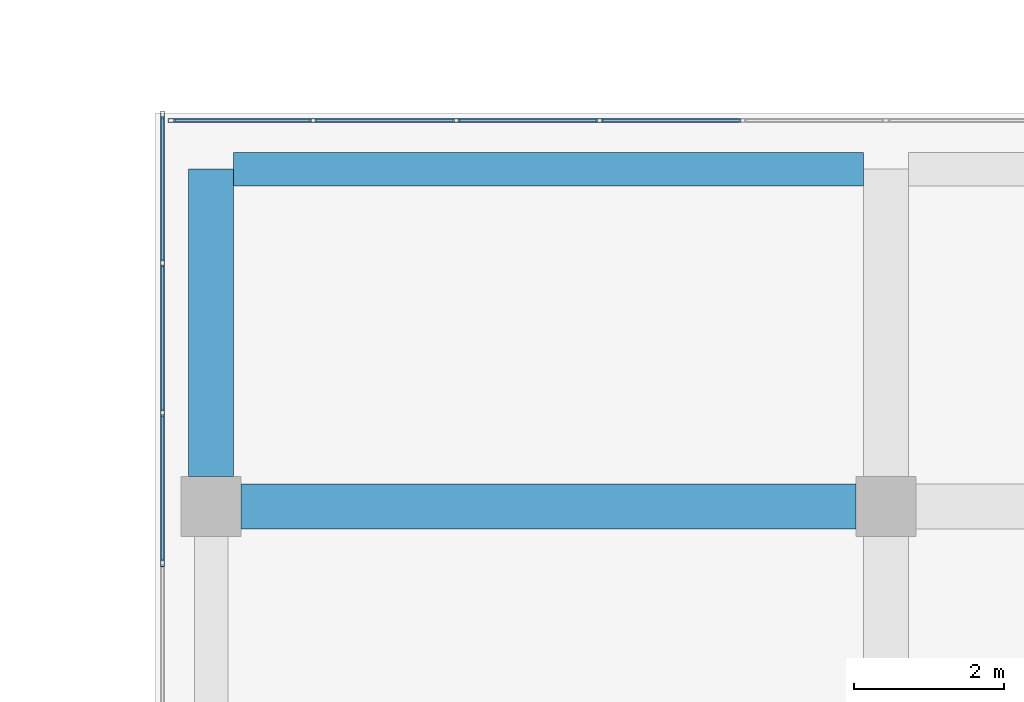
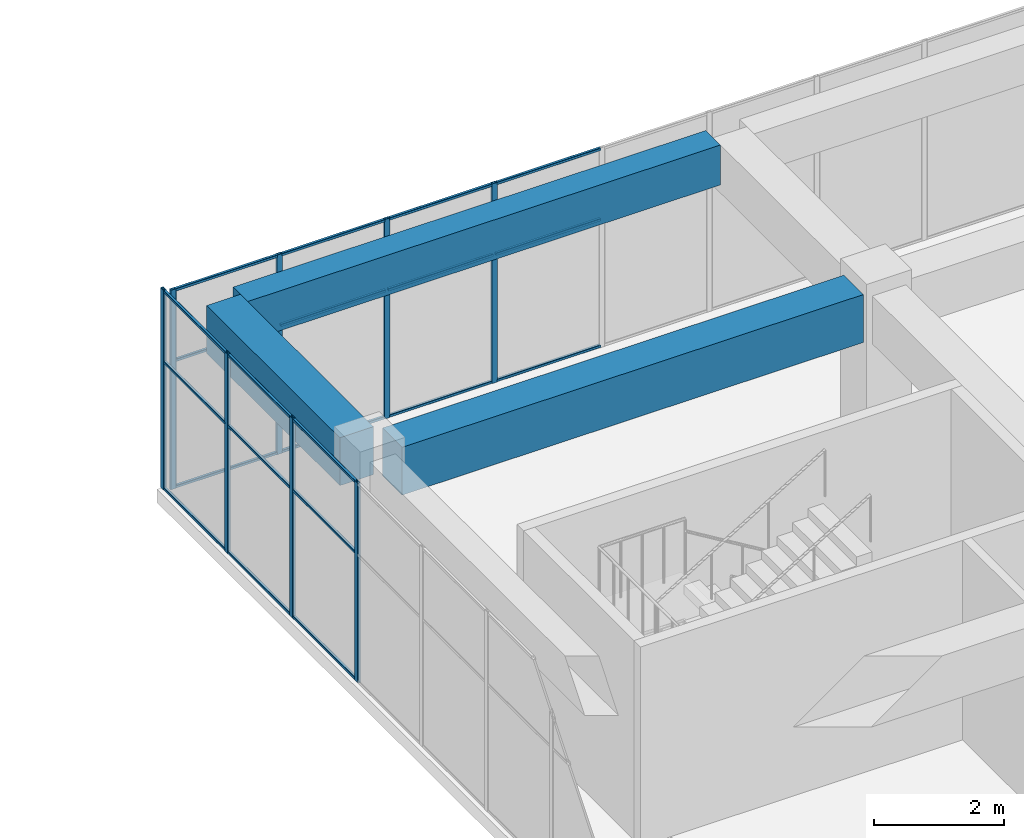
# One storey, part 31 of 65: 29 members, 3 beams, 2 elements without a shape of their own.
"""IFC4 building model written with IfcOpenShell, lengths in metres."""

import ifcopenshell
import ifcopenshell.guid

model = None  # the IFC model being written
_history = None  # IfcOwnerHistory: only IFC2X3 demands one
_inside = {}  # id of a spatial element -> (the spatial element, [elements in it])
_under = {}  # id of a project, library or spatial element -> (it, [spatial elements below it])
_declared = {}  # id of a project -> (the project, [libraries it declares])
_typed = {}  # id of a type object -> (the type object, [elements of that type])
_made_of = {}  # id of a material, layer set ... -> (it, [elements and type objects made of it])


def new_model(schema):
    """Start an empty IFC model of exactly this schema.

    Asked for "IFC4X3", IfcOpenShell would pick the latest addendum, in which some entities
    have other attributes; the version numbers below select the first issue.
    IFC2X3 requires an IfcOwnerHistory on every rooted entity: one is made here for all.
    """
    global model, _history
    if schema == "IFC4X3":
        model = ifcopenshell.file(schema_version=(4, 3, 0, 0))
    else:
        model = ifcopenshell.file(schema=schema)
    _inside.clear()
    _under.clear()
    _declared.clear()
    _typed.clear()
    _made_of.clear()
    _history = None
    if model.schema == "IFC2X3":
        org = make("IfcOrganization", Name="unknown")
        user = make(
            "IfcPersonAndOrganization",
            ThePerson=make("IfcPerson", FamilyName="unknown"),
            TheOrganization=org,
        )
        app = make(
            "IfcApplication",
            ApplicationDeveloper=org,
            Version="unknown",
            ApplicationFullName="unknown",
            ApplicationIdentifier="unknown",
        )
        _history = make(
            "IfcOwnerHistory",
            OwningUser=user,
            OwningApplication=app,
            ChangeAction="ADDED",
            CreationDate=0,
        )
    return model


def make(cls, **values):
    """One entity of the class cls with the attributes given. An attribute that is None is left unset."""
    return model.create_entity(
        cls, **{name: value for name, value in values.items() if value is not None}
    )


def rooted(cls, **values):
    """An entity with a GlobalId (a new one), such as an element, a storey or a relation."""
    return make(cls, GlobalId=ifcopenshell.guid.new(), OwnerHistory=_history, **values)


def si_unit(unit_type, name, prefix=None):
    """IfcSIUnit, for example si_unit("LENGTHUNIT", "METRE", prefix="MILLI")."""
    return make("IfcSIUnit", UnitType=unit_type, Prefix=prefix, Name=name)


def assignment(units):
    """IfcUnitAssignment: the units of a project."""
    return None if units is None else make("IfcUnitAssignment", Units=units)


def point(xyz):
    """IfcCartesianPoint."""
    return None if xyz is None else make("IfcCartesianPoint", Coordinates=xyz)


def direction(xyz):
    """IfcDirection."""
    return None if xyz is None else make("IfcDirection", DirectionRatios=xyz)


def frame(location, z_axis=None, x_axis=None):
    """IfcAxis2Placement3D, a coordinate frame: its origin and axes. An axis left out is left unset."""
    return make(
        "IfcAxis2Placement3D",
        Location=point(location),
        Axis=direction(z_axis),
        RefDirection=direction(x_axis),
    )


def frame_2d(location, x_axis=None):
    """IfcAxis2Placement2D, a coordinate frame in the plane: its origin and x axis."""
    return make(
        "IfcAxis2Placement2D", Location=point(location), RefDirection=direction(x_axis)
    )


def origin():
    """The frame at (0, 0, 0) with its axes left unset."""
    return frame((0.0, 0.0, 0.0))


def origin_2d():
    """The frame at (0, 0) in the plane with its x axis left unset."""
    return frame_2d((0.0, 0.0))


def place(relative_to, where):
    """IfcLocalPlacement: puts the frame where relative to a parent placement (None: the world)."""
    return make(
        "IfcLocalPlacement", PlacementRelTo=relative_to, RelativePlacement=where
    )


def context(
    kind, dimensions, precision=None, world=None, true_north=None, identifier=None
):
    """IfcGeometricRepresentationContext, for example the 3D "Model" context."""
    return make(
        "IfcGeometricRepresentationContext",
        ContextIdentifier=identifier,
        ContextType=kind,
        CoordinateSpaceDimension=dimensions,
        Precision=precision,
        WorldCoordinateSystem=world,
        TrueNorth=true_north,
    )


def subcontext(parent, identifier, kind, view, scale=None):
    """IfcGeometricRepresentationSubContext, for example "Body" below "Model"."""
    return make(
        "IfcGeometricRepresentationSubContext",
        ContextIdentifier=identifier,
        ContextType=kind,
        ParentContext=parent,
        TargetScale=scale,
        TargetView=view,
    )


def project(units=None, contexts=None):
    """IfcProject with its units and contexts."""
    return rooted(
        "IfcProject",
        Name="project",
        RepresentationContexts=contexts,
        UnitsInContext=assignment(units),
    )


def spatial(cls, under=None, at=None, **own):
    """A site, building, storey or space (cls), placed at a placement, below another one or the project."""
    s = rooted(cls, ObjectPlacement=at, **own)
    if under is not None:
        _under.setdefault(under.id(), (under, []))[1].append(s)
    return s


def profile(cls, at=None, kind="AREA", **sizes):
    """A parametric profile (cls). Its sizes go by their IFC names, for example OverallWidth=200.0."""
    return make(cls, ProfileType=kind, Position=at, **sizes)


def rectangle(**sizes):
    """IfcRectangleProfileDef."""
    return profile("IfcRectangleProfileDef", **sizes)


def hollow_rectangle(**sizes):
    """IfcRectangleHollowProfileDef."""
    return profile("IfcRectangleHollowProfileDef", **sizes)


def extrude(swept, where, along, depth):
    """IfcExtrudedAreaSolid: the profile swept, set in the frame where, extruded along a direction by depth."""
    return make(
        "IfcExtrudedAreaSolid",
        SweptArea=swept,
        Position=where,
        ExtrudedDirection=direction(along),
        Depth=depth,
    )


def shape(context_of_items, identifier, shape_type, items):
    """IfcShapeRepresentation: the items that make up one representation, for example the "Body"."""
    return make(
        "IfcShapeRepresentation",
        ContextOfItems=context_of_items,
        RepresentationIdentifier=identifier,
        RepresentationType=shape_type,
        Items=items,
    )


def material(Name=None, Category=None):
    """IfcMaterial."""
    return make("IfcMaterial", Name=Name, Category=Category)


def layer(
    of_material, thickness, ventilated=None, Name=None, Category=None, Priority=None
):
    """IfcMaterialLayer: one layer of a wall or slab, of a material (None: an air gap)."""
    return make(
        "IfcMaterialLayer",
        Material=of_material,
        LayerThickness=thickness,
        IsVentilated=ventilated,
        Name=Name,
        Category=Category,
        Priority=Priority,
    )


def layer_set(layers, Name=None):
    """IfcMaterialLayerSet."""
    return make("IfcMaterialLayerSet", MaterialLayers=layers, LayerSetName=Name)


def material_profile(
    of_material, cross_section, Name=None, Category=None, Priority=None
):
    """IfcMaterialProfile: a cross section and its material."""
    return make(
        "IfcMaterialProfile",
        Name=Name,
        Material=of_material,
        Profile=cross_section,
        Priority=Priority,
        Category=Category,
    )


def profile_set(profiles, Name=None, composite=None):
    """IfcMaterialProfileSet."""
    return make(
        "IfcMaterialProfileSet",
        Name=Name,
        MaterialProfiles=profiles,
        CompositeProfile=composite,
    )


def made_of(thing, what):
    """Note that an element or type object is made of a material, layer set ...; save() writes the relation."""
    if what is not None:
        _made_of.setdefault(what.id(), (what, []))[1].append(thing)
    return thing


def type_object(cls, material=None, **own):
    """A type object (cls), such as IfcWallType, which elements share."""
    return made_of(rooted(cls, **own), material)


def element(
    cls,
    number,
    at=None,
    inside=None,
    cuts=None,
    type_object=None,
    material=None,
    context=None,
    identifier="Body",
    shape_type=None,
    held_by="IfcProductDefinitionShape",
    body=None,
    shapes=None,
    **own,
):
    """One element of the class cls, such as IfcWall. Its Tag is "e" and its number.

    at: its placement. inside: the storey or other place that contains it. cuts: it is an
    opening in that element (IfcRelVoidsElement). A single representation is given by context,
    identifier, shape_type and body (its items); several are given by shapes. held_by: the class
    of the entity that holds the representations. save() writes the other relations.
    """
    e = rooted(cls, Tag="e%d" % number, ObjectPlacement=at, **own)
    if body is not None:
        shapes = [shape(context, identifier, shape_type, body)]
    if shapes is not None:
        e.Representation = make(held_by, Representations=shapes)
    if inside is not None:
        _inside.setdefault(inside.id(), (inside, []))[1].append(e)
    if cuts is not None:
        rooted(
            "IfcRelVoidsElement", RelatingBuildingElement=cuts, RelatedOpeningElement=e
        )
    if type_object is not None:
        _typed.setdefault(type_object.id(), (type_object, []))[1].append(e)
    return made_of(e, material)


def aggregate(whole, parts):
    """IfcRelAggregates: a whole, such as a stair, and the parts it consists of."""
    return rooted("IfcRelAggregates", RelatingObject=whole, RelatedObjects=parts)


def save(model, path):
    """Write the relations noted so far, then the file.

    IfcRelAggregates (storeys below a building ...), IfcRelContainedInSpatialStructure (elements
    in a storey), IfcRelDefinesByType, IfcRelAssociatesMaterial and IfcRelDeclares: one each for
    every whole, place, type object, material and project.
    """
    for whole, parts in _under.values():
        aggregate(whole, parts)
    for where, things in _inside.values():
        rooted(
            "IfcRelContainedInSpatialStructure",
            RelatedElements=things,
            RelatingStructure=where,
        )
    for kind, things in _typed.values():
        rooted("IfcRelDefinesByType", RelatedObjects=things, RelatingType=kind)
    for what, things in _made_of.values():
        rooted("IfcRelAssociatesMaterial", RelatedObjects=things, RelatingMaterial=what)
    for by, libraries in _declared.values():
        rooted("IfcRelDeclares", RelatingContext=by, RelatedDefinitions=libraries)
    model.write(path)


model = new_model("IFC4")

# Units and contexts
model_context = context("Model", 3, precision=1e-05, world=origin(), true_north=direction((0.0, 1.0)))
body_context = subcontext(model_context, "Body", "Model", "MODEL_VIEW")
ifc_project = project(units=[si_unit("LENGTHUNIT", "METRE"), si_unit("AREAUNIT", "SQUARE_METRE"), si_unit("VOLUMEUNIT", "CUBIC_METRE"), si_unit("PLANEANGLEUNIT", "RADIAN"), si_unit("MASSUNIT", "GRAM", prefix="KILO")], contexts=[model_context])

# Site, building, storey
site_placement = place(None, origin())
site = spatial("IfcSite", under=ifc_project, at=site_placement, CompositionType="ELEMENT")
building_placement = place(site_placement, origin())
building = spatial("IfcBuilding", under=site, at=building_placement, Name="Tuart Plaza Theatre", CompositionType="ELEMENT")
storey_placement = place(building_placement, frame((0.0, 0.0, 9.5)))
storey = spatial("IfcBuildingStorey", under=building, at=storey_placement, Name="L02", CompositionType="ELEMENT", Elevation=9.5)

# Beams
ifc_material_1 = material(Name="Concrete N40 (40 MPa)", Category="concrete")
ifc_material_profile_1 = material_profile(ifc_material_1, rectangle(XDim=0.449951171875, YDim=0.75, at=origin_2d()), Name="BEAM 450x750 Concrete N40 (40 MPa)")
ifc_profile_set_1 = profile_set([ifc_material_profile_1], Name="Concrete N40 (40 MPa)")
beam_type_1 = type_object("IfcBeamType", Name="BEAM 450x750 Concrete N40 (40 MPa)", PredefinedType="BEAM", material=ifc_profile_set_1)
beam_1_placement = place(storey_placement, frame((114.300048828125, 96.5, 3.375), z_axis=(1.0, 0.0, 0.0), x_axis=(0.0, 1.0, 0.0)))
element("IfcBeam", 1, at=beam_1_placement, inside=storey, type_object=beam_type_1, Name="RB172", PredefinedType="BEAM", context=body_context, shape_type="SweptSolid", body=[
    extrude(rectangle(XDim=0.449951171875, YDim=0.75, at=origin_2d()), origin(), (0.0, 0.0, 1.0), 8.39990234375),
])
ifc_material_2 = material(Name="Concrete N40 (40 MPa)", Category="concrete")
ifc_material_profile_2 = material_profile(ifc_material_2, rectangle(XDim=0.60009765625, YDim=0.89990234375, at=origin_2d()), Name="BEAM 600x900 Concrete N40 (40 MPa)")
ifc_profile_set_2 = profile_set([ifc_material_profile_2], Name="Concrete N40 (40 MPa)")
beam_type_2 = type_object("IfcBeamType", Name="BEAM 600x900 Concrete N40 (40 MPa)", PredefinedType="BEAM", material=ifc_profile_set_2)
beam_2_placement = place(storey_placement, frame((114.0, 92.39990234375, 3.300048828125), z_axis=(0.0, 1.0, 0.0), x_axis=(-1.0, 0.0, 0.0)))
element("IfcBeam", 2, at=beam_2_placement, inside=storey, type_object=beam_type_2, Name="RB170", PredefinedType="BEAM", context=body_context, shape_type="SweptSolid", body=[
    extrude(rectangle(XDim=0.60009765625, YDim=0.89990234375, at=origin_2d()), origin(), (0.0, 0.0, 1.0), 4.10009765625),
])
beam_3_placement = place(storey_placement, frame((114.39990234375, 92.0, 3.300048828125), z_axis=(1.0, 0.0, 0.0), x_axis=(0.0, 1.0, 0.0)))
element("IfcBeam", 3, at=beam_3_placement, inside=storey, type_object=beam_type_2, Name="RB171", PredefinedType="BEAM", context=body_context, shape_type="SweptSolid", body=[
    extrude(rectangle(XDim=0.60009765625, YDim=0.89990234375, at=origin_2d()), origin(), (0.0, 0.0, 1.0), 8.2001953125),
])

# Curtain wall, members
ifc_material_3 = material(Name="Aluminium and glass", Category="aluminium")
ifc_layer = layer(ifc_material_3, 0.10009765625)
ifc_layer_set = layer_set([ifc_layer], Name="CURTAIN WALL 2000 module")
curtain_wall_type = type_object("IfcCurtainWallType", Name="CURTAIN WALL 2000 module", PredefinedType="NOTDEFINED", material=ifc_layer_set)
curtain_wall_1_placement = place(storey_placement, origin())
curtain_wall_1 = element("IfcCurtainWall", 4, at=curtain_wall_1_placement, inside=storey, type_object=curtain_wall_type, Name="CW72", PredefinedType="NOTDEFINED")
ifc_material_4 = material(Name="Aluminium 6063-T5", Category="aluminium")
ifc_material_profile_3 = material_profile(ifc_material_4, hollow_rectangle(XDim=0.050048828125, YDim=0.10009765625, WallThickness=0.00390625, InnerFilletRadius=0.00390625, OuterFilletRadius=0.008056640625, at=origin_2d()), Name="RHS 100x50x4")
ifc_profile_set_3 = profile_set([ifc_material_profile_3], Name="Aluminium 6063-T5")
member_type_1 = type_object("IfcMemberType", Name="MULLION RHS 100x50x4", PredefinedType="MULLION", material=ifc_profile_set_3)
member_1_placement = place(storey_placement, frame((119.179931640625, 97.14990234375, 0.0), z_axis=(0.0, 0.0, 1.0), x_axis=(0.0, -1.0, 0.0)))
member_1 = element("IfcMember", 5, at=member_1_placement, type_object=member_type_1, Name="CW72 mullion 8", PredefinedType="MULLION", context=body_context, shape_type="SweptSolid", body=[
    extrude(hollow_rectangle(XDim=0.050048828125, YDim=0.10009765625, WallThickness=0.00390625, InnerFilletRadius=0.00390625, OuterFilletRadius=0.008056640625, at=origin_2d()), origin(), (0.0, 0.0, 1.0), 3.75),
])
member_2_placement = place(storey_placement, frame((117.27001953125, 97.14990234375, 0.0), z_axis=(0.0, 0.0, 1.0), x_axis=(0.0, -1.0, 0.0)))
member_2 = element("IfcMember", 6, at=member_2_placement, type_object=member_type_1, Name="CW72 mullion 9", PredefinedType="MULLION", context=body_context, shape_type="SweptSolid", body=[
    extrude(hollow_rectangle(XDim=0.050048828125, YDim=0.10009765625, WallThickness=0.00390625, InnerFilletRadius=0.00390625, OuterFilletRadius=0.008056640625, at=origin_2d()), origin(), (0.0, 0.0, 1.0), 3.75),
])
member_3_placement = place(storey_placement, frame((115.360107421875, 97.14990234375, 0.0), z_axis=(0.0, 0.0, 1.0), x_axis=(0.0, -1.0, 0.0)))
member_3 = element("IfcMember", 7, at=member_3_placement, type_object=member_type_1, Name="CW72 mullion 10", PredefinedType="MULLION", context=body_context, shape_type="SweptSolid", body=[
    extrude(hollow_rectangle(XDim=0.050048828125, YDim=0.10009765625, WallThickness=0.00390625, InnerFilletRadius=0.00390625, OuterFilletRadius=0.008056640625, at=origin_2d()), origin(), (0.0, 0.0, 1.0), 3.75),
])
member_4_placement = place(storey_placement, frame((113.47509765625, 97.14990234375, 0.0), z_axis=(0.0, 0.0, 1.0), x_axis=(0.0, -1.0, 0.0)))
member_4 = element("IfcMember", 8, at=member_4_placement, type_object=member_type_1, Name="CW72 mullion 11", PredefinedType="MULLION", context=body_context, shape_type="SweptSolid", body=[
    extrude(hollow_rectangle(XDim=0.050048828125, YDim=0.10009765625, WallThickness=0.00390625, InnerFilletRadius=0.00390625, OuterFilletRadius=0.008056640625, at=origin_2d()), origin(), (0.0, 0.0, 1.0), 3.75),
])

curtain_wall_2_placement = place(storey_placement, origin())
curtain_wall_2 = element("IfcCurtainWall", 9, at=curtain_wall_2_placement, inside=storey, type_object=curtain_wall_type, Name="CW73", PredefinedType="NOTDEFINED")
member_5_placement = place(storey_placement, frame((113.35009765625, 97.22509765625, 0.0), z_axis=(0.0, 0.0, 1.0), x_axis=(1.0, 0.0, 0.0)))
member_5 = element("IfcMember", 10, at=member_5_placement, type_object=member_type_1, Name="CW73 mullion 1", PredefinedType="MULLION", context=body_context, shape_type="SweptSolid", body=[
    extrude(hollow_rectangle(XDim=0.050048828125, YDim=0.10009765625, WallThickness=0.00390625, InnerFilletRadius=0.00390625, OuterFilletRadius=0.008056640625, at=origin_2d()), origin(), (0.0, 0.0, 1.0), 3.75),
])
member_6_placement = place(storey_placement, frame((113.35009765625, 95.25, 0.0), z_axis=(0.0, 0.0, 1.0), x_axis=(1.0, 0.0, 0.0)))
member_6 = element("IfcMember", 11, at=member_6_placement, type_object=member_type_1, Name="CW73 mullion 2", PredefinedType="MULLION", context=body_context, shape_type="SweptSolid", body=[
    extrude(hollow_rectangle(XDim=0.050048828125, YDim=0.10009765625, WallThickness=0.00390625, InnerFilletRadius=0.00390625, OuterFilletRadius=0.008056640625, at=origin_2d()), origin(), (0.0, 0.0, 1.0), 3.75),
])
member_7_placement = place(storey_placement, frame((113.35009765625, 93.25, 0.0), z_axis=(0.0, 0.0, 1.0), x_axis=(1.0, 0.0, 0.0)))
member_7 = element("IfcMember", 12, at=member_7_placement, type_object=member_type_1, Name="CW73 mullion 3", PredefinedType="MULLION", context=body_context, shape_type="SweptSolid", body=[
    extrude(hollow_rectangle(XDim=0.050048828125, YDim=0.10009765625, WallThickness=0.00390625, InnerFilletRadius=0.00390625, OuterFilletRadius=0.008056640625, at=origin_2d()), origin(), (0.0, 0.0, 1.0), 3.75),
])
member_8_placement = place(storey_placement, frame((113.35009765625, 91.25, 0.0), z_axis=(0.0, 0.0, 1.0), x_axis=(1.0, 0.0, 0.0)))
member_8 = element("IfcMember", 13, at=member_8_placement, type_object=member_type_1, Name="CW73 mullion 4", PredefinedType="MULLION", context=body_context, shape_type="SweptSolid", body=[
    extrude(hollow_rectangle(XDim=0.050048828125, YDim=0.10009765625, WallThickness=0.00390625, InnerFilletRadius=0.00390625, OuterFilletRadius=0.008056640625, at=origin_2d()), origin(), (0.0, 0.0, 1.0), 3.75),
])

# Member
ifc_material_5 = material(Name="Aluminium 6063-T5", Category="aluminium")
ifc_material_profile_4 = material_profile(ifc_material_5, hollow_rectangle(XDim=0.050048828125, YDim=0.050048828125, WallThickness=0.00390625, InnerFilletRadius=0.00390625, OuterFilletRadius=0.008056640625, at=origin_2d()), Name="RHS 50x50x4")
ifc_profile_set_4 = profile_set([ifc_material_profile_4], Name="Aluminium 6063-T5")
member_type_2 = type_object("IfcMemberType", Name="TRANSOM RHS 50x50x4", PredefinedType="USERDEFINED", material=ifc_profile_set_4)
member_9_placement = place(storey_placement, frame((121.06494140625, 97.14990234375, 0.02490234375), z_axis=(-1.0, 0.0, 0.0), x_axis=(0.0, -1.0, 0.0)))
member_9 = element("IfcMember", 14, at=member_9_placement, type_object=member_type_2, Name="CW72 transom 7.1", ObjectType="TRANSOM", PredefinedType="USERDEFINED", context=body_context, shape_type="SweptSolid", body=[
    extrude(hollow_rectangle(XDim=0.050048828125, YDim=0.050048828125, WallThickness=0.00390625, InnerFilletRadius=0.00390625, OuterFilletRadius=0.008056640625, at=origin_2d()), origin(), (0.0, 0.0, 1.0), 1.85986328125),
])

member_10_placement = place(storey_placement, frame((121.06494140625, 97.14990234375, 2.39990234375), z_axis=(-1.0, 0.0, 0.0), x_axis=(0.0, -1.0, 0.0)))
member_10 = element("IfcMember", 15, at=member_10_placement, type_object=member_type_2, Name="CW72 transom 7.2", ObjectType="TRANSOM", PredefinedType="USERDEFINED", context=body_context, shape_type="SweptSolid", body=[
    extrude(hollow_rectangle(XDim=0.050048828125, YDim=0.050048828125, WallThickness=0.00390625, InnerFilletRadius=0.00390625, OuterFilletRadius=0.008056640625, at=origin_2d()), origin(), (0.0, 0.0, 1.0), 1.85986328125),
])

member_11_placement = place(storey_placement, frame((121.06494140625, 97.14990234375, 3.72509765625), z_axis=(-1.0, 0.0, 0.0), x_axis=(0.0, -1.0, 0.0)))
member_11 = element("IfcMember", 16, at=member_11_placement, type_object=member_type_2, Name="CW72 transom 7.3", ObjectType="TRANSOM", PredefinedType="USERDEFINED", context=body_context, shape_type="SweptSolid", body=[
    extrude(hollow_rectangle(XDim=0.050048828125, YDim=0.050048828125, WallThickness=0.00390625, InnerFilletRadius=0.00390625, OuterFilletRadius=0.008056640625, at=origin_2d()), origin(), (0.0, 0.0, 1.0), 1.85986328125),
])

member_12_placement = place(storey_placement, frame((119.155029296875, 97.14990234375, 0.02490234375), z_axis=(-1.0, 0.0, 0.0), x_axis=(0.0, -1.0, 0.0)))
member_12 = element("IfcMember", 17, at=member_12_placement, type_object=member_type_2, Name="CW72 transom 8.1", ObjectType="TRANSOM", PredefinedType="USERDEFINED", context=body_context, shape_type="SweptSolid", body=[
    extrude(hollow_rectangle(XDim=0.050048828125, YDim=0.050048828125, WallThickness=0.00390625, InnerFilletRadius=0.00390625, OuterFilletRadius=0.008056640625, at=origin_2d()), origin(), (0.0, 0.0, 1.0), 1.860107421875),
])

member_13_placement = place(storey_placement, frame((119.155029296875, 97.14990234375, 2.39990234375), z_axis=(-1.0, 0.0, 0.0), x_axis=(0.0, -1.0, 0.0)))
member_13 = element("IfcMember", 18, at=member_13_placement, type_object=member_type_2, Name="CW72 transom 8.2", ObjectType="TRANSOM", PredefinedType="USERDEFINED", context=body_context, shape_type="SweptSolid", body=[
    extrude(hollow_rectangle(XDim=0.050048828125, YDim=0.050048828125, WallThickness=0.00390625, InnerFilletRadius=0.00390625, OuterFilletRadius=0.008056640625, at=origin_2d()), origin(), (0.0, 0.0, 1.0), 1.860107421875),
])

member_14_placement = place(storey_placement, frame((119.155029296875, 97.14990234375, 3.72509765625), z_axis=(-1.0, 0.0, 0.0), x_axis=(0.0, -1.0, 0.0)))
member_14 = element("IfcMember", 19, at=member_14_placement, type_object=member_type_2, Name="CW72 transom 8.3", ObjectType="TRANSOM", PredefinedType="USERDEFINED", context=body_context, shape_type="SweptSolid", body=[
    extrude(hollow_rectangle(XDim=0.050048828125, YDim=0.050048828125, WallThickness=0.00390625, InnerFilletRadius=0.00390625, OuterFilletRadius=0.008056640625, at=origin_2d()), origin(), (0.0, 0.0, 1.0), 1.860107421875),
])

member_15_placement = place(storey_placement, frame((117.2451171875, 97.14990234375, 0.02490234375), z_axis=(-1.0, 0.0, 0.0), x_axis=(0.0, -1.0, 0.0)))
member_15 = element("IfcMember", 20, at=member_15_placement, type_object=member_type_2, Name="CW72 transom 9.1", ObjectType="TRANSOM", PredefinedType="USERDEFINED", context=body_context, shape_type="SweptSolid", body=[
    extrude(hollow_rectangle(XDim=0.050048828125, YDim=0.050048828125, WallThickness=0.00390625, InnerFilletRadius=0.00390625, OuterFilletRadius=0.008056640625, at=origin_2d()), origin(), (0.0, 0.0, 1.0), 1.860107421875),
])

member_16_placement = place(storey_placement, frame((117.2451171875, 97.14990234375, 2.39990234375), z_axis=(-1.0, 0.0, 0.0), x_axis=(0.0, -1.0, 0.0)))
member_16 = element("IfcMember", 21, at=member_16_placement, type_object=member_type_2, Name="CW72 transom 9.2", ObjectType="TRANSOM", PredefinedType="USERDEFINED", context=body_context, shape_type="SweptSolid", body=[
    extrude(hollow_rectangle(XDim=0.050048828125, YDim=0.050048828125, WallThickness=0.00390625, InnerFilletRadius=0.00390625, OuterFilletRadius=0.008056640625, at=origin_2d()), origin(), (0.0, 0.0, 1.0), 1.860107421875),
])

member_17_placement = place(storey_placement, frame((117.2451171875, 97.14990234375, 3.72509765625), z_axis=(-1.0, 0.0, 0.0), x_axis=(0.0, -1.0, 0.0)))
member_17 = element("IfcMember", 22, at=member_17_placement, type_object=member_type_2, Name="CW72 transom 9.3", ObjectType="TRANSOM", PredefinedType="USERDEFINED", context=body_context, shape_type="SweptSolid", body=[
    extrude(hollow_rectangle(XDim=0.050048828125, YDim=0.050048828125, WallThickness=0.00390625, InnerFilletRadius=0.00390625, OuterFilletRadius=0.008056640625, at=origin_2d()), origin(), (0.0, 0.0, 1.0), 1.860107421875),
])

member_18_placement = place(storey_placement, frame((115.3349609375, 97.14990234375, 0.02490234375), z_axis=(-1.0, 0.0, 0.0), x_axis=(0.0, -1.0, 0.0)))
member_18 = element("IfcMember", 23, at=member_18_placement, type_object=member_type_2, Name="CW72 transom 10.1", ObjectType="TRANSOM", PredefinedType="USERDEFINED", context=body_context, shape_type="SweptSolid", body=[
    extrude(hollow_rectangle(XDim=0.050048828125, YDim=0.050048828125, WallThickness=0.00390625, InnerFilletRadius=0.00390625, OuterFilletRadius=0.008056640625, at=origin_2d()), origin(), (0.0, 0.0, 1.0), 1.8349609375),
])

member_19_placement = place(storey_placement, frame((115.3349609375, 97.14990234375, 2.39990234375), z_axis=(-1.0, 0.0, 0.0), x_axis=(0.0, -1.0, 0.0)))
member_19 = element("IfcMember", 24, at=member_19_placement, type_object=member_type_2, Name="CW72 transom 10.2", ObjectType="TRANSOM", PredefinedType="USERDEFINED", context=body_context, shape_type="SweptSolid", body=[
    extrude(hollow_rectangle(XDim=0.050048828125, YDim=0.050048828125, WallThickness=0.00390625, InnerFilletRadius=0.00390625, OuterFilletRadius=0.008056640625, at=origin_2d()), origin(), (0.0, 0.0, 1.0), 1.8349609375),
])

member_20_placement = place(storey_placement, frame((115.3349609375, 97.14990234375, 3.72509765625), z_axis=(-1.0, 0.0, 0.0), x_axis=(0.0, -1.0, 0.0)))
member_20 = element("IfcMember", 25, at=member_20_placement, type_object=member_type_2, Name="CW72 transom 10.3", ObjectType="TRANSOM", PredefinedType="USERDEFINED", context=body_context, shape_type="SweptSolid", body=[
    extrude(hollow_rectangle(XDim=0.050048828125, YDim=0.050048828125, WallThickness=0.00390625, InnerFilletRadius=0.00390625, OuterFilletRadius=0.008056640625, at=origin_2d()), origin(), (0.0, 0.0, 1.0), 1.8349609375),
])

aggregate(curtain_wall_1, [member_1, member_2, member_3, member_4, member_9, member_10, member_11, member_12, member_13, member_14, member_15, member_16, member_17, member_18, member_19, member_20])

member_21_placement = place(storey_placement, frame((113.35009765625, 97.199951171875, 0.02490234375), z_axis=(0.0, -1.0, 0.0), x_axis=(1.0, 0.0, 0.0)))
member_21 = element("IfcMember", 26, at=member_21_placement, type_object=member_type_2, Name="CW73 transom 1.1", ObjectType="TRANSOM", PredefinedType="USERDEFINED", context=body_context, shape_type="SweptSolid", body=[
    extrude(hollow_rectangle(XDim=0.050048828125, YDim=0.050048828125, WallThickness=0.00390625, InnerFilletRadius=0.00390625, OuterFilletRadius=0.008056640625, at=origin_2d()), origin(), (0.0, 0.0, 1.0), 1.925048828125),
])

member_22_placement = place(storey_placement, frame((113.35009765625, 97.199951171875, 2.39990234375), z_axis=(0.0, -1.0, 0.0), x_axis=(1.0, 0.0, 0.0)))
member_22 = element("IfcMember", 27, at=member_22_placement, type_object=member_type_2, Name="CW73 transom 1.2", ObjectType="TRANSOM", PredefinedType="USERDEFINED", context=body_context, shape_type="SweptSolid", body=[
    extrude(hollow_rectangle(XDim=0.050048828125, YDim=0.050048828125, WallThickness=0.00390625, InnerFilletRadius=0.00390625, OuterFilletRadius=0.008056640625, at=origin_2d()), origin(), (0.0, 0.0, 1.0), 1.925048828125),
])

member_23_placement = place(storey_placement, frame((113.35009765625, 97.199951171875, 3.72509765625), z_axis=(0.0, -1.0, 0.0), x_axis=(1.0, 0.0, 0.0)))
member_23 = element("IfcMember", 28, at=member_23_placement, type_object=member_type_2, Name="CW73 transom 1.3", ObjectType="TRANSOM", PredefinedType="USERDEFINED", context=body_context, shape_type="SweptSolid", body=[
    extrude(hollow_rectangle(XDim=0.050048828125, YDim=0.050048828125, WallThickness=0.00390625, InnerFilletRadius=0.00390625, OuterFilletRadius=0.008056640625, at=origin_2d()), origin(), (0.0, 0.0, 1.0), 1.925048828125),
])

member_24_placement = place(storey_placement, frame((113.35009765625, 95.22509765625, 0.02490234375), z_axis=(0.0, -1.0, 0.0), x_axis=(1.0, 0.0, 0.0)))
member_24 = element("IfcMember", 29, at=member_24_placement, type_object=member_type_2, Name="CW73 transom 2.1", ObjectType="TRANSOM", PredefinedType="USERDEFINED", context=body_context, shape_type="SweptSolid", body=[
    extrude(hollow_rectangle(XDim=0.050048828125, YDim=0.050048828125, WallThickness=0.00390625, InnerFilletRadius=0.00390625, OuterFilletRadius=0.008056640625, at=origin_2d()), origin(), (0.0, 0.0, 1.0), 1.9501953125),
])

member_25_placement = place(storey_placement, frame((113.35009765625, 95.22509765625, 2.39990234375), z_axis=(0.0, -1.0, 0.0), x_axis=(1.0, 0.0, 0.0)))
member_25 = element("IfcMember", 30, at=member_25_placement, type_object=member_type_2, Name="CW73 transom 2.2", ObjectType="TRANSOM", PredefinedType="USERDEFINED", context=body_context, shape_type="SweptSolid", body=[
    extrude(hollow_rectangle(XDim=0.050048828125, YDim=0.050048828125, WallThickness=0.00390625, InnerFilletRadius=0.00390625, OuterFilletRadius=0.008056640625, at=origin_2d()), origin(), (0.0, 0.0, 1.0), 1.9501953125),
])

member_26_placement = place(storey_placement, frame((113.35009765625, 95.22509765625, 3.72509765625), z_axis=(0.0, -1.0, 0.0), x_axis=(1.0, 0.0, 0.0)))
member_26 = element("IfcMember", 31, at=member_26_placement, type_object=member_type_2, Name="CW73 transom 2.3", ObjectType="TRANSOM", PredefinedType="USERDEFINED", context=body_context, shape_type="SweptSolid", body=[
    extrude(hollow_rectangle(XDim=0.050048828125, YDim=0.050048828125, WallThickness=0.00390625, InnerFilletRadius=0.00390625, OuterFilletRadius=0.008056640625, at=origin_2d()), origin(), (0.0, 0.0, 1.0), 1.9501953125),
])

member_27_placement = place(storey_placement, frame((113.35009765625, 93.22509765625, 0.02490234375), z_axis=(0.0, -1.0, 0.0), x_axis=(1.0, 0.0, 0.0)))
member_27 = element("IfcMember", 32, at=member_27_placement, type_object=member_type_2, Name="CW73 transom 3.1", ObjectType="TRANSOM", PredefinedType="USERDEFINED", context=body_context, shape_type="SweptSolid", body=[
    extrude(hollow_rectangle(XDim=0.050048828125, YDim=0.050048828125, WallThickness=0.00390625, InnerFilletRadius=0.00390625, OuterFilletRadius=0.008056640625, at=origin_2d()), origin(), (0.0, 0.0, 1.0), 1.9501953125),
])

member_28_placement = place(storey_placement, frame((113.35009765625, 93.22509765625, 2.39990234375), z_axis=(0.0, -1.0, 0.0), x_axis=(1.0, 0.0, 0.0)))
member_28 = element("IfcMember", 33, at=member_28_placement, type_object=member_type_2, Name="CW73 transom 3.2", ObjectType="TRANSOM", PredefinedType="USERDEFINED", context=body_context, shape_type="SweptSolid", body=[
    extrude(hollow_rectangle(XDim=0.050048828125, YDim=0.050048828125, WallThickness=0.00390625, InnerFilletRadius=0.00390625, OuterFilletRadius=0.008056640625, at=origin_2d()), origin(), (0.0, 0.0, 1.0), 1.9501953125),
])

member_29_placement = place(storey_placement, frame((113.35009765625, 93.22509765625, 3.72509765625), z_axis=(0.0, -1.0, 0.0), x_axis=(1.0, 0.0, 0.0)))
member_29 = element("IfcMember", 34, at=member_29_placement, type_object=member_type_2, Name="CW73 transom 3.3", ObjectType="TRANSOM", PredefinedType="USERDEFINED", context=body_context, shape_type="SweptSolid", body=[
    extrude(hollow_rectangle(XDim=0.050048828125, YDim=0.050048828125, WallThickness=0.00390625, InnerFilletRadius=0.00390625, OuterFilletRadius=0.008056640625, at=origin_2d()), origin(), (0.0, 0.0, 1.0), 1.9501953125),
])

aggregate(curtain_wall_2, [member_5, member_6, member_7, member_8, member_21, member_22, member_23, member_24, member_25, member_26, member_27, member_28, member_29])

save(model, "model.ifc")
